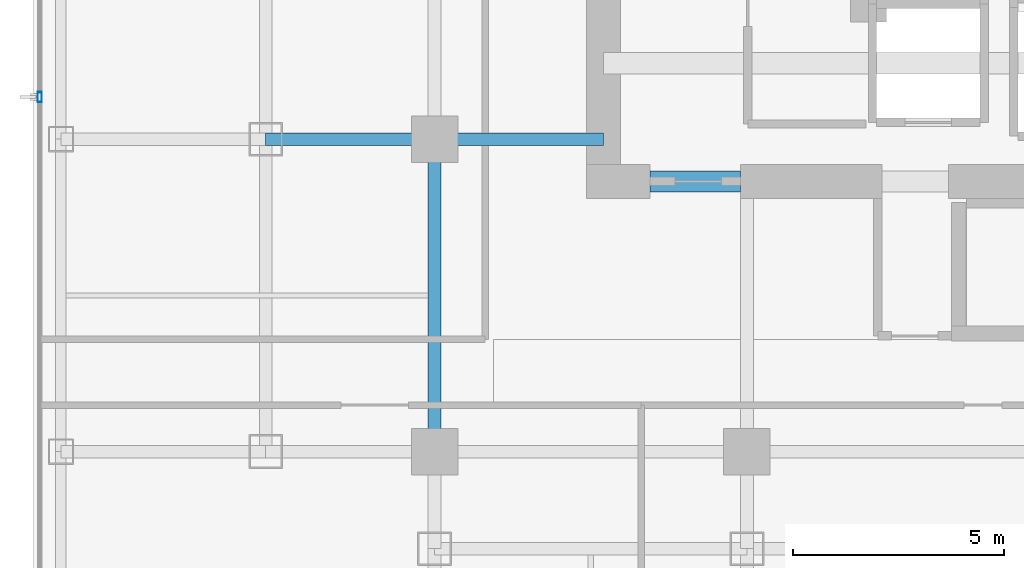
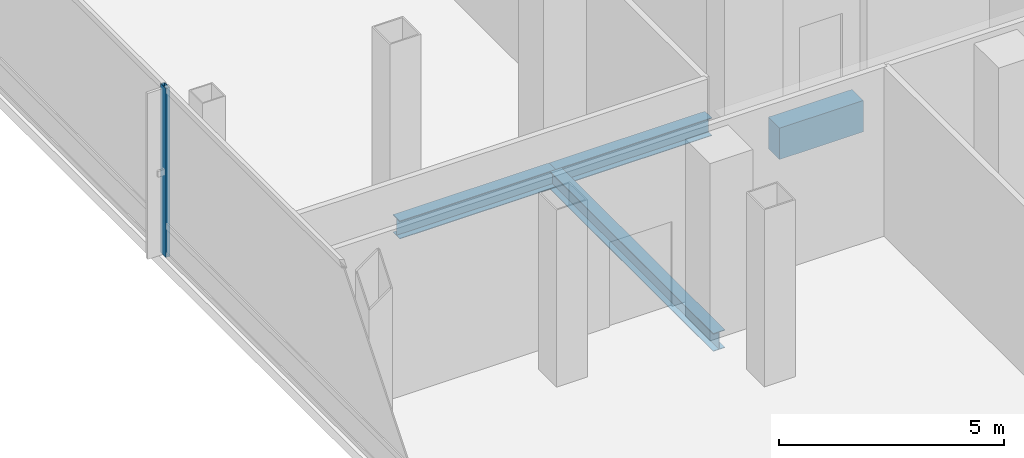
# One storey, part 6 of 22: 4 beams, 1 member, 1 element without a shape of its own.
"""IFC4 building model written with IfcOpenShell, lengths in metres."""

from ifc_helpers import new_model, si_unit, direction, frame, origin, origin_2d, place, context, subcontext, project, spatial, rectangle, hollow_rectangle, i_section, extrude, material, layer, layer_set, material_profile, profile_set, type_object, element, aggregate, save


model = new_model("IFC4")

# Units and contexts
model_context = context("Model", 3, precision=1e-05, world=origin(), true_north=direction((0.0, 1.0)))
body_context = subcontext(model_context, "Body", "Model", "MODEL_VIEW")
ifc_project = project(units=[si_unit("LENGTHUNIT", "METRE"), si_unit("AREAUNIT", "SQUARE_METRE"), si_unit("VOLUMEUNIT", "CUBIC_METRE"), si_unit("PLANEANGLEUNIT", "RADIAN"), si_unit("MASSUNIT", "GRAM", prefix="KILO")], contexts=[model_context])

# Site, building, storey
site_placement = place(None, origin())
site = spatial("IfcSite", under=ifc_project, at=site_placement, CompositionType="ELEMENT")
building_placement = place(site_placement, origin())
building = spatial("IfcBuilding", under=site, at=building_placement, Name="Khorvyn Point Tower", CompositionType="ELEMENT")
storey_placement = place(building_placement, frame((0.0, 0.0, 210.89990234375)))
storey = spatial("IfcBuildingStorey", under=building, at=storey_placement, Name="L52", CompositionType="ELEMENT", Elevation=210.89990234375)

# Curtain wall, member
ifc_material_1 = material(Name="Anodised aluminium 6063-T6 and laminated Low-E glass", Category="aluminium")
ifc_layer = layer(ifc_material_1, 0.18994140625)
ifc_layer_set = layer_set([ifc_layer], Name="Stick-Built Sky-Lobby Curtain Wall CW-SYS-05")
curtain_wall_type = type_object("IfcCurtainWallType", Name="Stick-Built Sky-Lobby Curtain Wall CW-SYS-05", PredefinedType="NOTDEFINED", material=ifc_layer_set)
curtain_wall_placement = place(storey_placement, origin())
curtain_wall = element("IfcCurtainWall", 1, at=curtain_wall_placement, inside=storey, type_object=curtain_wall_type, Name="Curtain Wall", PredefinedType="NOTDEFINED")
ifc_material_2 = material(Name="Anodised aluminium 6063-T6", Category="aluminium")
ifc_material_profile_1 = material_profile(ifc_material_2, hollow_rectangle(XDim=0.10009765625, YDim=0.239990234375, WallThickness=0.0048828125, at=origin_2d()))
ifc_profile_set_1 = profile_set([ifc_material_profile_1], Name="Anodised aluminium 6063-T6 ALU-MUL-100x240")
member_type = type_object("IfcMemberType", Name="Anodised Aluminium 6063-T6 Mullion ALU-MUL-100x240", PredefinedType="MULLION", material=ifc_profile_set_1)
member_placement = place(storey_placement, frame((-24.14990234375, -6.39990234375, 0.0), z_axis=(0.0, 0.0, 1.0), x_axis=(-1.0, 0.0, 0.0)))
member = element("IfcMember", 2, at=member_placement, type_object=member_type, Name="Transom", PredefinedType="MULLION", context=body_context, shape_type="SweptSolid", body=[
    extrude(hollow_rectangle(XDim=0.10009765625, YDim=0.239990234375, WallThickness=0.0048828125, at=origin_2d()), origin(), (0.0, 0.0, 1.0), 4.580078125),
])
aggregate(curtain_wall, [member])

# Beams
ifc_material_3 = material(Name="Concrete C45/55", Category="concrete")
ifc_material_profile_2 = material_profile(ifc_material_3, rectangle(XDim=0.5, YDim=0.85009765625, at=origin_2d()))
ifc_profile_set_2 = profile_set([ifc_material_profile_2], Name="Concrete C45/55 RC500x850")
beam_type_1 = type_object("IfcBeamType", Name="Concrete C45/55 Beam RC500x850", PredefinedType="BEAM", material=ifc_profile_set_2)
beam_1_placement = place(storey_placement, frame((-9.699951171875, -8.39990234375, -0.704833984375), z_axis=(1.0, 0.0, 0.0), x_axis=(0.0, 1.0, 0.0)))
element("IfcBeam", 3, at=beam_1_placement, inside=storey, type_object=beam_type_1, Name="L52 Core Southwest Portal Coupling Beam", PredefinedType="BEAM", context=body_context, shape_type="SweptSolid", body=[
    extrude(rectangle(XDim=0.5, YDim=0.85009765625, at=origin_2d()), origin(), (0.0, 0.0, 1.0), 2.14990234375),
])
ifc_material_4 = material(Name="Steel S355", Category="steel")
ifc_material_profile_3 = material_profile(ifc_material_4, i_section(OverallWidth=0.300048828125, OverallDepth=0.488037109375, WebThickness=0.010986328125, FlangeThickness=0.01806640625, at=origin_2d()))
ifc_profile_set_3 = profile_set([ifc_material_profile_3], Name="Steel S355 H488x300x11x18")
beam_type_2 = type_object("IfcBeamType", Name="Steel S355 Spandrel H488x300x11x18", PredefinedType="SPANDREL", material=ifc_profile_set_3)
for number, where, z_axis, x_axis, name in (
    (4, (-18.800048828125, -7.39990234375, -0.52392578125), (1.0, 0.0, 0.0), (0.0, 1.0, 0.0), "Beam"),
    (5, (-14.800048828125, -7.39990234375, -0.52392578125), (1.0, 0.0, 0.0), (0.0, 1.0, 0.0), "Beam"),
):
    element("IfcBeam", number, at=place(storey_placement, frame(where, z_axis=z_axis, x_axis=x_axis)), inside=storey, type_object=beam_type_2, Name=name, PredefinedType="SPANDREL", context=body_context, shape_type="SweptSolid", body=[
        extrude(i_section(OverallWidth=0.300048828125, OverallDepth=0.488037109375, WebThickness=0.010986328125, FlangeThickness=0.01806640625, at=origin_2d()), origin(), (0.0, 0.0, 1.0), 4.0),
    ])
beam_2_placement = place(storey_placement, frame((-14.800048828125, -14.800048828125, -0.52392578125), z_axis=(0.0, 1.0, 0.0), x_axis=(-1.0, 0.0, 0.0)))
element("IfcBeam", 6, at=beam_2_placement, inside=storey, type_object=beam_type_2, Name="Beam", PredefinedType="SPANDREL", context=body_context, shape_type="SweptSolid", body=[
    extrude(i_section(OverallWidth=0.300048828125, OverallDepth=0.488037109375, WebThickness=0.010986328125, FlangeThickness=0.01806640625, at=origin_2d()), origin(), (0.0, 0.0, 1.0), 7.400146484375),
])

save(model, "model.ifc")
